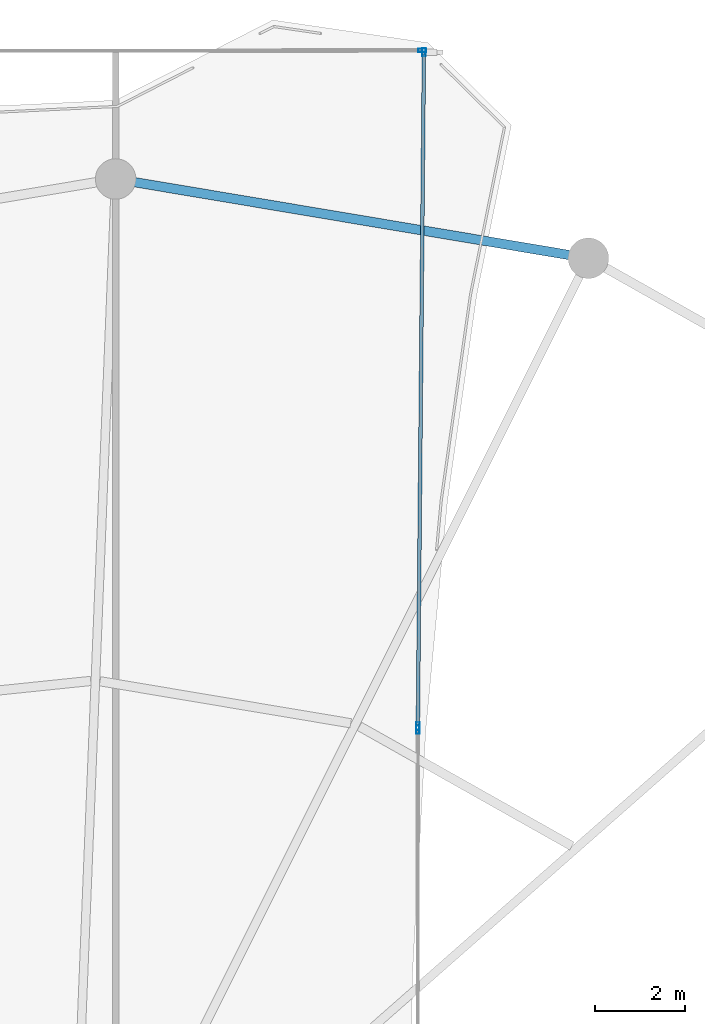
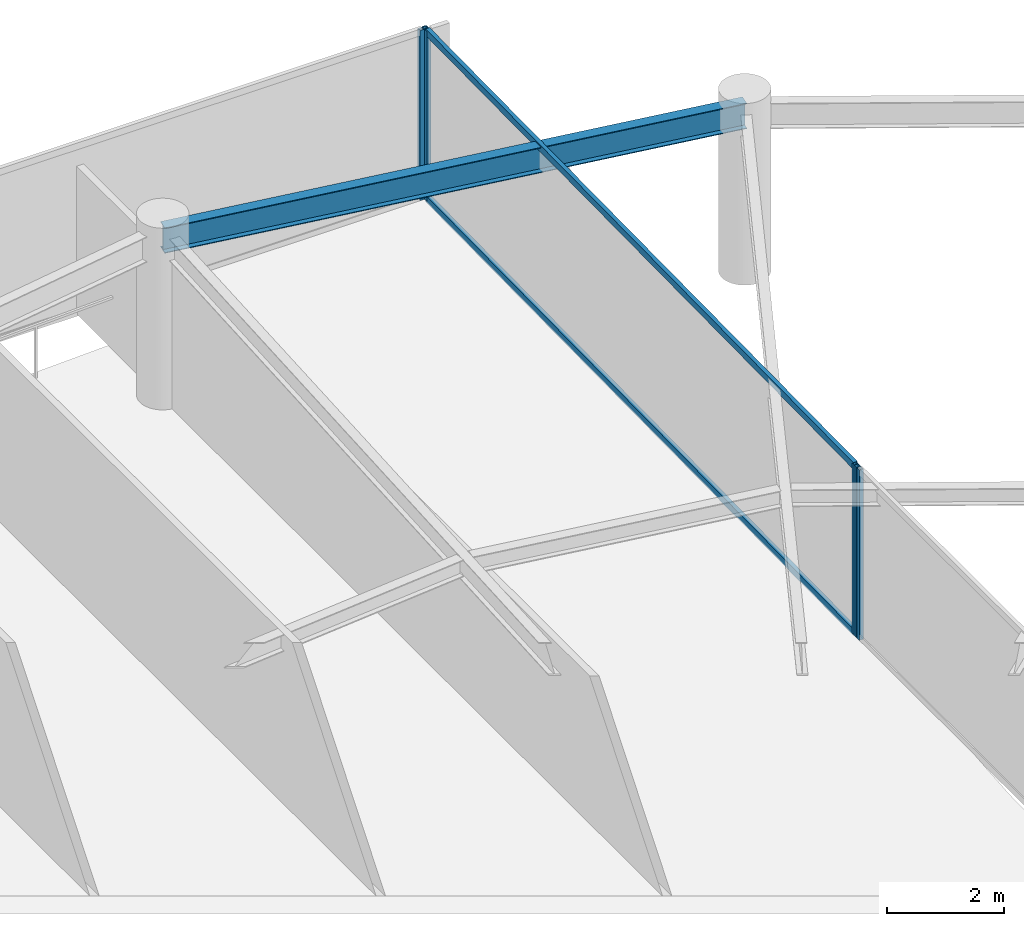
# One storey, part 17 of 23: 6 members, 1 beam, 3 elements without a shape of their own.
"""IFC4 building model written with IfcOpenShell, lengths in metres."""

from ifc_helpers import new_model, si_unit, direction, frame, origin, origin_2d, place, context, subcontext, project, spatial, hollow_rectangle, i_section, extrude, material, layer, layer_set, material_profile, profile_set, type_object, element, aggregate, save


model = new_model("IFC4")

# Units and contexts
model_context = context("Model", 3, precision=1e-05, world=origin(), true_north=direction((0.0, 1.0)))
body_context = subcontext(model_context, "Body", "Model", "MODEL_VIEW")
ifc_project = project(units=[si_unit("LENGTHUNIT", "METRE"), si_unit("AREAUNIT", "SQUARE_METRE"), si_unit("VOLUMEUNIT", "CUBIC_METRE"), si_unit("PLANEANGLEUNIT", "RADIAN"), si_unit("MASSUNIT", "GRAM", prefix="KILO")], contexts=[model_context])

# Site, building, storey
site_placement = place(None, origin())
site = spatial("IfcSite", under=ifc_project, at=site_placement, CompositionType="ELEMENT")
building_placement = place(site_placement, origin())
building = spatial("IfcBuilding", under=site, at=building_placement, Name="Kazevale Care Tower and Concert Hall", CompositionType="ELEMENT")
storey_placement = place(building_placement, frame((0.0, 0.0, 270.0)))
storey = spatial("IfcBuildingStorey", under=building, at=storey_placement, Name="L71", CompositionType="ELEMENT", Elevation=270.0)

# Curtain wall, member
ifc_material_1 = material(Name="Aluminium 6063-T6 and Low-E Glass", Category="aluminium")
ifc_layer = layer(ifc_material_1, 0.179931640625)
ifc_layer_set = layer_set([ifc_layer], Name="Aluminium 6063-T6 and Low-E Glass")
curtain_wall_type = type_object("IfcCurtainWallType", Name="Waist & Upper Residential Curtain Wall CW-4", PredefinedType="NOTDEFINED", material=ifc_layer_set)
curtain_wall_1_placement = place(storey_placement, origin())
curtain_wall_1 = element("IfcCurtainWall", 1, at=curtain_wall_1_placement, inside=storey, type_object=curtain_wall_type, Name="cw:L71:f12", PredefinedType="NOTDEFINED")
ifc_material_2 = material(Name="Aluminium 6063-T6", Category="aluminium")
ifc_material_profile_1 = material_profile(ifc_material_2, hollow_rectangle(XDim=0.080078125, YDim=0.179931640625, WallThickness=0.0048828125, at=origin_2d()), Name="ALU80x180x5")
ifc_profile_set_1 = profile_set([ifc_material_profile_1], Name="Aluminium 6063-T6")
member_type_1 = type_object("IfcMemberType", Name="CW-4 Mullion ALU80x180x5", PredefinedType="MULLION", material=ifc_profile_set_1)
member_1_placement = place(storey_placement, frame((51.806884765625, 64.0068359375, 0.0), z_axis=(0.0, 0.0, 1.0), x_axis=(-0.001377708789, 0.999999050959, 0.0)))
member_1 = element("IfcMember", 2, at=member_1_placement, type_object=member_type_1, Name="CW-4 mullion 2", PredefinedType="MULLION", context=body_context, shape_type="SweptSolid", body=[
    extrude(hollow_rectangle(XDim=0.080078125, YDim=0.179931640625, WallThickness=0.0048828125, at=origin_2d()), origin(), (0.0, 0.0, 1.0), 3.56005859375),
])
aggregate(curtain_wall_1, [member_1])

# Curtain wall, members
curtain_wall_2_placement = place(storey_placement, origin())
curtain_wall_2 = element("IfcCurtainWall", 3, at=curtain_wall_2_placement, inside=storey, type_object=curtain_wall_type, Name="cw:L71:f13", PredefinedType="NOTDEFINED")
member_2_placement = place(storey_placement, frame((51.8466796875, 63.967041015625, 0.0), z_axis=(0.0, 0.0, 1.0), x_axis=(0.999959765737, -0.008970334801, 0.0)))
member_2 = element("IfcMember", 4, at=member_2_placement, type_object=member_type_1, Name="CW-4 mullion 1", PredefinedType="MULLION", context=body_context, shape_type="SweptSolid", body=[
    extrude(hollow_rectangle(XDim=0.080078125, YDim=0.179931640625, WallThickness=0.0048828125, at=origin_2d()), origin(), (0.0, 0.0, 1.0), 3.56005859375),
])
member_3_placement = place(storey_placement, frame((51.71240234375, 48.998046875, 0.0), z_axis=(0.0, 0.0, 1.0), x_axis=(0.999959765737, -0.008970334801, 0.0)))
member_3 = element("IfcMember", 5, at=member_3_placement, type_object=member_type_1, Name="CW-4 mullion 2", PredefinedType="MULLION", context=body_context, shape_type="SweptSolid", body=[
    extrude(hollow_rectangle(XDim=0.080078125, YDim=0.179931640625, WallThickness=0.0048828125, at=origin_2d()), origin(), (0.0, 0.0, 1.0), 3.56005859375),
])

# Curtain wall, member
curtain_wall_3_placement = place(storey_placement, origin())
curtain_wall_3 = element("IfcCurtainWall", 6, at=curtain_wall_3_placement, inside=storey, type_object=curtain_wall_type, Name="cw:L71:f14", PredefinedType="NOTDEFINED")
member_4_placement = place(storey_placement, frame((51.7119140625, 48.91796875, 0.0), z_axis=(0.0, 0.0, 1.0), x_axis=(1.0, 0.0, 0.0)))
member_4 = element("IfcMember", 7, at=member_4_placement, type_object=member_type_1, Name="CW-4 mullion 1", PredefinedType="MULLION", context=body_context, shape_type="SweptSolid", body=[
    extrude(hollow_rectangle(XDim=0.080078125, YDim=0.179931640625, WallThickness=0.0048828125, at=origin_2d()), origin(), (0.0, 0.0, 1.0), 3.56005859375),
])
aggregate(curtain_wall_3, [member_4])

# Member
ifc_material_profile_2 = material_profile(ifc_material_2, hollow_rectangle(XDim=0.080078125, YDim=0.139892578125, WallThickness=0.00390625, at=origin_2d()), Name="ALU80x140x4")
ifc_profile_set_2 = profile_set([ifc_material_profile_2], Name="Aluminium 6063-T6")
member_type_2 = type_object("IfcMemberType", Name="CW-4 Transom ALU80x140x4", PredefinedType="USERDEFINED", material=ifc_profile_set_2)
member_5_placement = place(storey_placement, frame((51.84619140625, 63.927001953125, 0.0400390625), z_axis=(-0.008969057934, -0.999959777191, 0.0), x_axis=(0.999959777191, -0.008969057934, 0.0)))
member_5 = element("IfcMember", 8, at=member_5_placement, type_object=member_type_2, Name="CW-4 transom 1.1", ObjectType="TRANSOM", PredefinedType="USERDEFINED", context=body_context, shape_type="SweptSolid", body=[
    extrude(hollow_rectangle(XDim=0.080078125, YDim=0.139892578125, WallThickness=0.00390625, at=origin_2d()), origin(), (0.0, 0.0, 1.0), 14.889404296875),
])

member_6_placement = place(storey_placement, frame((51.84619140625, 63.927001953125, 3.52001953125), z_axis=(-0.008969057934, -0.999959777191, 0.0), x_axis=(0.999959777191, -0.008969057934, 0.0)))
member_6 = element("IfcMember", 9, at=member_6_placement, type_object=member_type_2, Name="CW-4 transom 1.2", ObjectType="TRANSOM", PredefinedType="USERDEFINED", context=body_context, shape_type="SweptSolid", body=[
    extrude(hollow_rectangle(XDim=0.080078125, YDim=0.139892578125, WallThickness=0.00390625, at=origin_2d()), origin(), (0.0, 0.0, 1.0), 14.889404296875),
])

aggregate(curtain_wall_2, [member_2, member_3, member_5, member_6])

# Beam
ifc_material_3 = material(Name="Steel ASTM A572 Gr 50", Category="steel")
ifc_material_profile_3 = material_profile(ifc_material_3, i_section(OverallWidth=0.208984375, OverallDepth=0.532958984375, WebThickness=0.01025390625, FlangeThickness=0.015625, at=origin_2d()), Name="W530x92")
ifc_profile_set_3 = profile_set([ifc_material_profile_3], Name="Steel ASTM A572 Gr 50")
beam_type = type_object("IfcBeamType", Name="Upper Ring Beam W530x92", PredefinedType="BEAM", material=ifc_profile_set_3)
beam_placement = place(storey_placement, frame((55.5, 59.389892578125, 3.29345703125), z_axis=(-0.986241035683, 0.165313700387, 0.0), x_axis=(-0.165313700387, -0.986241035683, 0.0)))
element("IfcBeam", 10, at=beam_placement, inside=storey, type_object=beam_type, Name="beam:L71:ring:04", PredefinedType="BEAM", context=body_context, shape_type="SweptSolid", body=[
    extrude(i_section(OverallWidth=0.208984375, OverallDepth=0.532958984375, WebThickness=0.01025390625, FlangeThickness=0.015625, at=origin_2d()), origin(), (0.0, 0.0, 1.0), 10.646484375),
])

save(model, "model.ifc")
